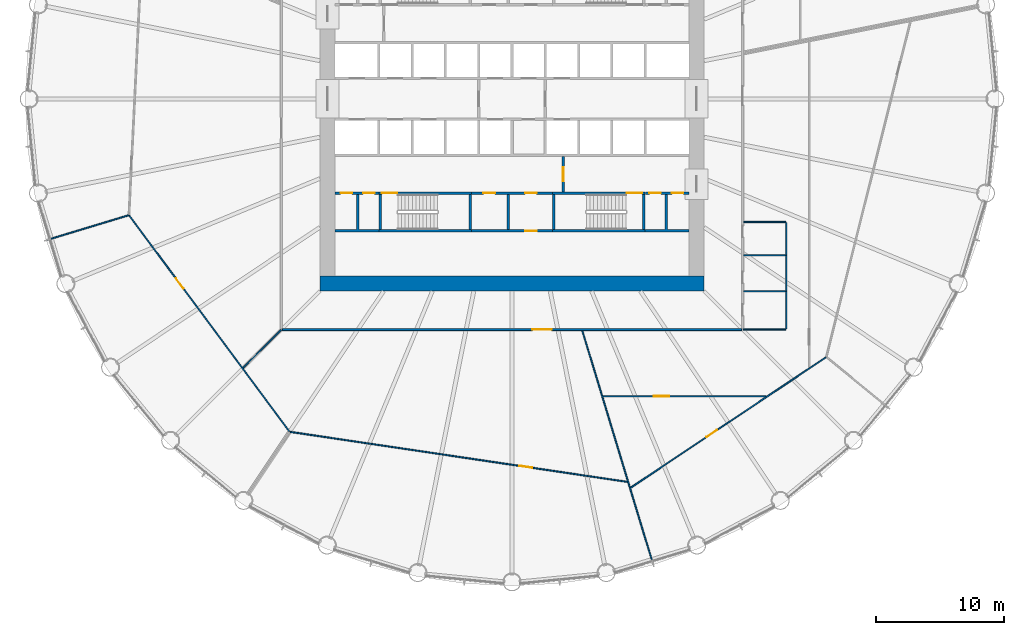
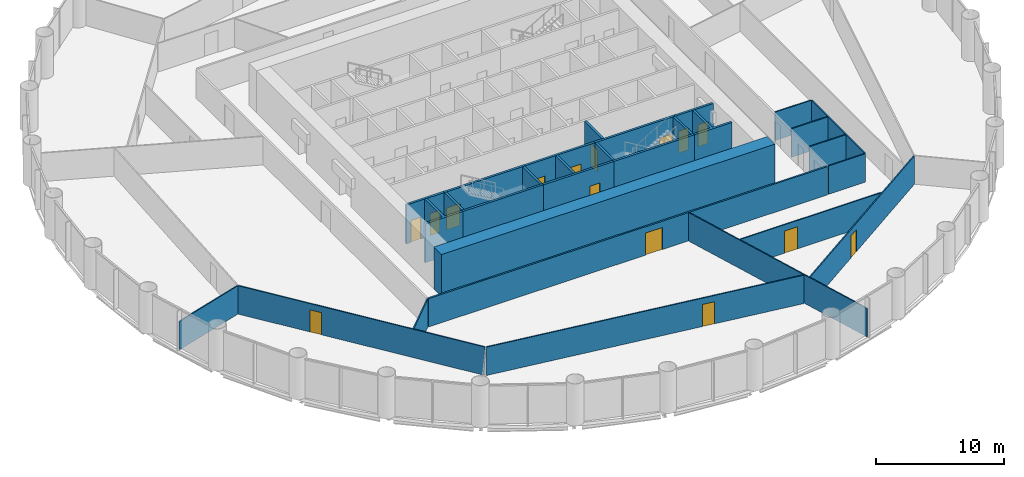
# One storey, part 10 of 15: 30 walls, 15 doors, 15 openings.
"""IFC4 building model written with IfcOpenShell, lengths in metres."""

from ifc_helpers import new_model, si_unit, direction, frame, frame_2d, origin, place, context, subcontext, project, spatial, polyline, rectangle, outline, extrude, material, layer, layer_set, type_object, element, fill, save


model = new_model("IFC4")

# Units and contexts
model_context = context("Model", 3, precision=1e-05, world=origin(), true_north=direction((0.0, 1.0)))
body_context = subcontext(model_context, "Body", "Model", "MODEL_VIEW")
ifc_project = project(units=[si_unit("LENGTHUNIT", "METRE"), si_unit("AREAUNIT", "SQUARE_METRE"), si_unit("VOLUMEUNIT", "CUBIC_METRE"), si_unit("PLANEANGLEUNIT", "RADIAN"), si_unit("MASSUNIT", "GRAM", prefix="KILO")], contexts=[model_context])

# Site, building, storey
site_placement = place(None, origin())
site = spatial("IfcSite", under=ifc_project, at=site_placement, CompositionType="ELEMENT")
building_placement = place(site_placement, origin())
building = spatial("IfcBuilding", under=site, at=building_placement, Name="Corvane Civic Tower", CompositionType="ELEMENT")
storey_placement = place(building_placement, frame((0.0, 0.0, 73.0)))
storey = spatial("IfcBuildingStorey", under=building, at=storey_placement, Name="L16", CompositionType="ELEMENT", Elevation=73.0)

# Wall
ifc_material_1 = material(Name="Concrete C80/95", Category="concrete")
ifc_layer_1 = layer(ifc_material_1, 1.199951171875)
ifc_layer_set_1 = layer_set([ifc_layer_1], Name="Concrete C80/95")
wall_type_1 = type_object("IfcWallType", Name="CORE WALL 1200 C80/95", PredefinedType="SHEAR", material=ifc_layer_set_1)
wall_1_placement = place(storey_placement, frame((-15.0, -14.39990234375, 0.0), z_axis=(0.0, 0.0, 1.0), x_axis=(1.0, 0.0, 0.0)))
element("IfcWall", 1, at=wall_1_placement, inside=storey, type_object=wall_type_1, Name="W-L16-core-S", PredefinedType="SHEAR", context=body_context, shape_type="SweptSolid", body=[
    extrude(rectangle(XDim=30.0, YDim=1.199951171875, at=frame_2d((15.0, 0.0))), origin(), (0.0, 0.0, 1.0), 4.0),
])

# Wall, opening, door
ifc_material_2 = material(Name="Concrete C30/37", Category="concrete")
ifc_layer_2 = layer(ifc_material_2, 0.199951171875)
ifc_layer_set_2 = layer_set([ifc_layer_2], Name="Concrete C30/37")
wall_type_2 = type_object("IfcWallType", Name="CR-WALL-200", PredefinedType="PARTITIONING", material=ifc_layer_set_2)
wall_2_placement = place(storey_placement, frame((-3.14990234375, -10.300048828125, 0.0), z_axis=(0.0, 0.0, 1.0), x_axis=(1.0, 0.0, 0.0)))
wall_2 = element("IfcWall", 2, at=wall_2_placement, inside=storey, type_object=wall_type_2, Name="L16 partition wall", PredefinedType="PARTITIONING", context=body_context, shape_type="SweptSolid", body=[
    extrude(rectangle(XDim=6.2998046875, YDim=0.199951171875, at=frame_2d((3.14990234375, 0.0))), origin(), (0.0, 0.0, 1.0), 3.699951171875),
])
opening_1_placement = place(wall_2_placement, frame((4.175048828125, 0.0, 0.0)))
opening_1 = element("IfcOpeningElement", 3, at=opening_1_placement, cuts=wall_2, Name="Opening L16.C07", PredefinedType="OPENING", context=body_context, shape_type="SweptSolid", body=[
    extrude(rectangle(XDim=0.89990234375, YDim=2.10009765625, at=frame_2d((0.449951171875, 1.050048828125))), frame((0.0, 0.10986328125, 0.0), z_axis=(0.0, -1.0, 0.0), x_axis=(1.0, 0.0, 0.0)), (0.0, 0.0, 1.0), 0.219970703125),
])
ifc_material_3 = material(Name="Steel fire door leaf", Category="steel")
door_type_1 = type_object("IfcDoorType", Name="CR-DOOR-900", OperationType="SINGLE_SWING_LEFT", PredefinedType="DOOR", material=ifc_material_3)
door_1_placement = place(opening_1_placement, origin())
door_1 = element("IfcDoor", 4, at=door_1_placement, inside=storey, type_object=door_type_1, Name="L16 door", OperationType="SINGLE_SWING_LEFT", OverallHeight=2.10009765625, OverallWidth=0.89990234375, PredefinedType="DOOR", context=body_context, shape_type="SweptSolid", body=[
    extrude(rectangle(XDim=0.89990234375, YDim=2.10009765625, at=frame_2d((0.449951171875, 1.050048828125))), frame((0.0, 0.02490234375, 0.0), z_axis=(0.0, -1.0, 0.0), x_axis=(1.0, 0.0, 0.0)), (0.0, 0.0, 1.0), 0.050048828125),
])
fill(opening_1, door_1)

# Wall, openings, doors
wall_3_placement = place(storey_placement, frame((-13.800048828125, -7.35009765625, 0.0), z_axis=(0.0, 0.0, 1.0), x_axis=(1.0, 0.0, 0.0)))
wall_3 = element("IfcWall", 5, at=wall_3_placement, inside=storey, type_object=wall_type_2, Name="L16 core partition wall", PredefinedType="PARTITIONING", context=body_context, shape_type="SweptSolid", body=[
    extrude(rectangle(XDim=3.400146484375, YDim=0.199951171875, at=frame_2d((1.7001953125, 0.0))), origin(), (0.0, 0.0, 1.0), 3.699951171875),
])
opening_2_placement = place(wall_3_placement, frame((0.425048828125, 0.0, 0.0)))
opening_2 = element("IfcOpeningElement", 6, at=opening_2_placement, cuts=wall_3, Name="Opening L16.C10", PredefinedType="OPENING", context=body_context, shape_type="SweptSolid", body=[
    extrude(rectangle(XDim=0.89990234375, YDim=2.10009765625, at=frame_2d((0.449951171875, 1.050048828125))), frame((0.0, 0.10986328125, 0.0), z_axis=(0.0, -1.0, 0.0), x_axis=(1.0, 0.0, 0.0)), (0.0, 0.0, 1.0), 0.219970703125),
])
opening_3_placement = place(wall_3_placement, frame((2.175048828125, 0.0, 0.0)))
opening_3 = element("IfcOpeningElement", 7, at=opening_3_placement, cuts=wall_3, Name="Opening L16.C11", PredefinedType="OPENING", context=body_context, shape_type="SweptSolid", body=[
    extrude(rectangle(XDim=0.89990234375, YDim=2.10009765625, at=frame_2d((0.449951171875, 1.050048828125))), frame((0.0, 0.10986328125, 0.0), z_axis=(0.0, -1.0, 0.0), x_axis=(1.0, 0.0, 0.0)), (0.0, 0.0, 1.0), 0.219970703125),
])
door_2_placement = place(opening_2_placement, origin())
door_2 = element("IfcDoor", 8, at=door_2_placement, inside=storey, type_object=door_type_1, Name="L16 door", OperationType="SINGLE_SWING_LEFT", OverallHeight=2.10009765625, OverallWidth=0.89990234375, PredefinedType="DOOR", context=body_context, shape_type="SweptSolid", body=[
    extrude(rectangle(XDim=0.89990234375, YDim=2.10009765625, at=frame_2d((0.449951171875, 1.050048828125))), frame((0.0, 0.02490234375, 0.0), z_axis=(0.0, -1.0, 0.0), x_axis=(1.0, 0.0, 0.0)), (0.0, 0.0, 1.0), 0.050048828125),
])
fill(opening_2, door_2)
door_3_placement = place(opening_3_placement, origin())
door_3 = element("IfcDoor", 9, at=door_3_placement, inside=storey, type_object=door_type_1, Name="L16 door", OperationType="SINGLE_SWING_LEFT", OverallHeight=2.10009765625, OverallWidth=0.89990234375, PredefinedType="DOOR", context=body_context, shape_type="SweptSolid", body=[
    extrude(rectangle(XDim=0.89990234375, YDim=2.10009765625, at=frame_2d((0.449951171875, 1.050048828125))), frame((0.0, 0.02490234375, 0.0), z_axis=(0.0, -1.0, 0.0), x_axis=(1.0, 0.0, 0.0)), (0.0, 0.0, 1.0), 0.050048828125),
])
fill(opening_3, door_3)

wall_4_placement = place(storey_placement, frame((-3.14990234375, -7.35009765625, 0.0), z_axis=(0.0, 0.0, 1.0), x_axis=(1.0, 0.0, 0.0)))
wall_4 = element("IfcWall", 10, at=wall_4_placement, inside=storey, type_object=wall_type_2, Name="L16 core partition wall", PredefinedType="PARTITIONING", context=body_context, shape_type="SweptSolid", body=[
    extrude(rectangle(XDim=6.2998046875, YDim=0.199951171875, at=frame_2d((3.14990234375, 0.0))), origin(), (0.0, 0.0, 1.0), 3.699951171875),
])
opening_4_placement = place(wall_4_placement, frame((0.925048828125, 0.0, 0.0)))
opening_4 = element("IfcOpeningElement", 11, at=opening_4_placement, cuts=wall_4, Name="Opening L16.C04", PredefinedType="OPENING", context=body_context, shape_type="SweptSolid", body=[
    extrude(rectangle(XDim=0.89990234375, YDim=2.10009765625, at=frame_2d((0.449951171875, 1.050048828125))), frame((0.0, 0.10986328125, 0.0), z_axis=(0.0, -1.0, 0.0), x_axis=(1.0, 0.0, 0.0)), (0.0, 0.0, 1.0), 0.219970703125),
])
opening_5_placement = place(wall_4_placement, frame((4.175048828125, 0.0, 0.0)))
opening_5 = element("IfcOpeningElement", 12, at=opening_5_placement, cuts=wall_4, Name="Opening L16.C05", PredefinedType="OPENING", context=body_context, shape_type="SweptSolid", body=[
    extrude(rectangle(XDim=0.89990234375, YDim=2.10009765625, at=frame_2d((0.449951171875, 1.050048828125))), frame((0.0, 0.10986328125, 0.0), z_axis=(0.0, -1.0, 0.0), x_axis=(1.0, 0.0, 0.0)), (0.0, 0.0, 1.0), 0.219970703125),
])
door_4_placement = place(opening_4_placement, origin())
door_4 = element("IfcDoor", 13, at=door_4_placement, inside=storey, type_object=door_type_1, Name="L16 door", OperationType="SINGLE_SWING_LEFT", OverallHeight=2.10009765625, OverallWidth=0.89990234375, PredefinedType="DOOR", context=body_context, shape_type="SweptSolid", body=[
    extrude(rectangle(XDim=0.89990234375, YDim=2.10009765625, at=frame_2d((0.449951171875, 1.050048828125))), frame((0.0, 0.02490234375, 0.0), z_axis=(0.0, -1.0, 0.0), x_axis=(1.0, 0.0, 0.0)), (0.0, 0.0, 1.0), 0.050048828125),
])
fill(opening_4, door_4)
door_5_placement = place(opening_5_placement, origin())
door_5 = element("IfcDoor", 14, at=door_5_placement, inside=storey, type_object=door_type_1, Name="L16 door", OperationType="SINGLE_SWING_LEFT", OverallHeight=2.10009765625, OverallWidth=0.89990234375, PredefinedType="DOOR", context=body_context, shape_type="SweptSolid", body=[
    extrude(rectangle(XDim=0.89990234375, YDim=2.10009765625, at=frame_2d((0.449951171875, 1.050048828125))), frame((0.0, 0.02490234375, 0.0), z_axis=(0.0, -1.0, 0.0), x_axis=(1.0, 0.0, 0.0)), (0.0, 0.0, 1.0), 0.050048828125),
])
fill(opening_5, door_5)

wall_5_placement = place(storey_placement, frame((10.39990234375, -7.35009765625, 0.0), z_axis=(0.0, 0.0, 1.0), x_axis=(1.0, 0.0, 0.0)))
wall_5 = element("IfcWall", 15, at=wall_5_placement, inside=storey, type_object=wall_type_2, Name="L16 core partition wall", PredefinedType="PARTITIONING", context=body_context, shape_type="SweptSolid", body=[
    extrude(rectangle(XDim=3.400146484375, YDim=0.199951171875, at=frame_2d((1.7001953125, 0.0))), origin(), (0.0, 0.0, 1.0), 3.699951171875),
])
opening_6_placement = place(wall_5_placement, frame((0.324951171875, 0.0, 0.0)))
opening_6 = element("IfcOpeningElement", 16, at=opening_6_placement, cuts=wall_5, Name="Opening L16.C14", PredefinedType="OPENING", context=body_context, shape_type="SweptSolid", body=[
    extrude(rectangle(XDim=0.89990234375, YDim=2.10009765625, at=frame_2d((0.449951171875, 1.050048828125))), frame((0.0, 0.10986328125, 0.0), z_axis=(0.0, -1.0, 0.0), x_axis=(1.0, 0.0, 0.0)), (0.0, 0.0, 1.0), 0.219970703125),
])
opening_7_placement = place(wall_5_placement, frame((2.074951171875, 0.0, 0.0)))
opening_7 = element("IfcOpeningElement", 17, at=opening_7_placement, cuts=wall_5, Name="Opening L16.C15", PredefinedType="OPENING", context=body_context, shape_type="SweptSolid", body=[
    extrude(rectangle(XDim=0.89990234375, YDim=2.10009765625, at=frame_2d((0.449951171875, 1.050048828125))), frame((0.0, 0.10986328125, 0.0), z_axis=(0.0, -1.0, 0.0), x_axis=(1.0, 0.0, 0.0)), (0.0, 0.0, 1.0), 0.219970703125),
])
door_6_placement = place(opening_6_placement, origin())
door_6 = element("IfcDoor", 18, at=door_6_placement, inside=storey, type_object=door_type_1, Name="L16 door", OperationType="SINGLE_SWING_LEFT", OverallHeight=2.10009765625, OverallWidth=0.89990234375, PredefinedType="DOOR", context=body_context, shape_type="SweptSolid", body=[
    extrude(rectangle(XDim=0.89990234375, YDim=2.10009765625, at=frame_2d((0.449951171875, 1.050048828125))), frame((0.0, 0.02490234375, 0.0), z_axis=(0.0, -1.0, 0.0), x_axis=(1.0, 0.0, 0.0)), (0.0, 0.0, 1.0), 0.050048828125),
])
fill(opening_6, door_6)
door_7_placement = place(opening_7_placement, origin())
door_7 = element("IfcDoor", 19, at=door_7_placement, inside=storey, type_object=door_type_1, Name="L16 door", OperationType="SINGLE_SWING_LEFT", OverallHeight=2.10009765625, OverallWidth=0.89990234375, PredefinedType="DOOR", context=body_context, shape_type="SweptSolid", body=[
    extrude(rectangle(XDim=0.89990234375, YDim=2.10009765625, at=frame_2d((0.449951171875, 1.050048828125))), frame((0.0, 0.02490234375, 0.0), z_axis=(0.0, -1.0, 0.0), x_axis=(1.0, 0.0, 0.0)), (0.0, 0.0, 1.0), 0.050048828125),
])
fill(opening_7, door_7)

# Wall, opening, door
wall_6_placement = place(storey_placement, frame((4.0, -7.25, 0.0), z_axis=(0.0, 0.0, 1.0), x_axis=(0.0, 1.0, 0.0)))
wall_6 = element("IfcWall", 20, at=wall_6_placement, inside=storey, type_object=wall_type_2, Name="L16 core partition wall", PredefinedType="PARTITIONING", context=body_context, shape_type="SweptSolid", body=[
    extrude(rectangle(XDim=2.75, YDim=0.199951171875, at=frame_2d((1.375, 0.0))), origin(), (0.0, 0.0, 1.0), 3.699951171875),
])
opening_8_placement = place(wall_6_placement, frame((0.824951171875, 0.0, 0.0)))
opening_8 = element("IfcOpeningElement", 21, at=opening_8_placement, cuts=wall_6, Name="Opening L16.C23", PredefinedType="OPENING", context=body_context, shape_type="SweptSolid", body=[
    extrude(rectangle(XDim=1.10009765625, YDim=2.10009765625, at=frame_2d((0.550048828125, 1.050048828125))), frame((0.0, 0.10986328125, 0.0), z_axis=(0.0, -1.0, 0.0), x_axis=(1.0, 0.0, 0.0)), (0.0, 0.0, 1.0), 0.219970703125),
])
ifc_material_4 = material(Name="Steel fire door leaf", Category="steel")
door_type_2 = type_object("IfcDoorType", Name="CR-DOOR-FFL-1100", OperationType="SINGLE_SWING_LEFT", PredefinedType="DOOR", material=ifc_material_4)
door_8_placement = place(opening_8_placement, origin())
door_8 = element("IfcDoor", 22, at=door_8_placement, inside=storey, type_object=door_type_2, Name="L16 lobby door", OperationType="SINGLE_SWING_LEFT", OverallHeight=2.10009765625, OverallWidth=1.10009765625, PredefinedType="DOOR", context=body_context, shape_type="SweptSolid", body=[
    extrude(rectangle(XDim=1.10009765625, YDim=2.10009765625, at=frame_2d((0.550048828125, 1.050048828125))), frame((0.0, 0.02490234375, 0.0), z_axis=(0.0, -1.0, 0.0), x_axis=(1.0, 0.0, 0.0)), (0.0, 0.0, 1.0), 0.050048828125),
])
fill(opening_8, door_8)

# Walls
wall_7_placement = place(storey_placement, origin())
element("IfcWall", 23, at=wall_7_placement, inside=storey, type_object=wall_type_2, Name="L16 core partition wall", PredefinedType="PARTITIONING", context=body_context, shape_type="SweptSolid", body=[
    extrude(outline(polyline([(-12.14990234375, -7.449951171875), (-11.949951171875, -7.449951171875), (-11.949951171875, -10.199951171875), (-10.39990234375, -10.199951171875), (-10.39990234375, -10.39990234375), (-13.800048828125, -10.39990234375), (-13.800048828125, -10.199951171875), (-12.14990234375, -10.199951171875), (-12.14990234375, -7.449951171875)])), origin(), (0.0, 0.0, 1.0), 3.699951171875),
])
wall_8_placement = place(storey_placement, origin())
element("IfcWall", 24, at=wall_8_placement, inside=storey, type_object=wall_type_2, Name="L16 core partition wall", PredefinedType="PARTITIONING", context=body_context, shape_type="SweptSolid", body=[
    extrude(outline(polyline([(-0.199951171875, -10.199951171875), (-0.39990234375, -10.199951171875), (-0.39990234375, -7.449951171875), (-0.199951171875, -7.449951171875), (-0.199951171875, -10.199951171875)])), origin(), (0.0, 0.0, 1.0), 3.699951171875),
])
wall_9_placement = place(storey_placement, origin())
element("IfcWall", 25, at=wall_9_placement, inside=storey, type_object=wall_type_2, Name="L16 core partition wall", PredefinedType="PARTITIONING", context=body_context, shape_type="SweptSolid", body=[
    extrude(outline(polyline([(11.949951171875, -7.449951171875), (12.14990234375, -7.449951171875), (12.14990234375, -10.199951171875), (13.800048828125, -10.199951171875), (13.800048828125, -10.39990234375), (10.39990234375, -10.39990234375), (10.39990234375, -10.199951171875), (11.949951171875, -10.199951171875), (11.949951171875, -7.449951171875)])), origin(), (0.0, 0.0, 1.0), 3.699951171875),
])
ifc_material_5 = material(Name="Plasterboard")
ifc_layer_3 = layer(ifc_material_5, 0.10009765625)
ifc_layer_set_3 = layer_set([ifc_layer_3], Name="Plasterboard")
wall_type_3 = type_object("IfcWallType", Name="Partition 100 plasterboard on studs", PredefinedType="PARTITIONING", material=ifc_layer_set_3)
wall_10_placement = place(storey_placement, frame((5.4873046875, -18.089599609375, 0.0), z_axis=(0.0, 0.0, 1.0), x_axis=(0.290288785373, -0.956939089539, 0.0)))
element("IfcWall", 26, at=wall_10_placement, inside=storey, type_object=wall_type_3, Name="Partition L16.001", PredefinedType="PARTITIONING", context=body_context, shape_type="SweptSolid", body=[
    extrude(rectangle(XDim=19.046630859375, YDim=0.10009765625, at=frame_2d((9.5234375, 0.0))), origin(), (0.0, 0.0, 1.0), 2.699951171875),
])

# Wall, opening, door
wall_11_placement = place(storey_placement, frame((9.2705078125, -30.33837890625, 0.0), z_axis=(0.0, 0.0, 1.0), x_axis=(0.831469761592, 0.555570009592, 0.0)))
wall_11 = element("IfcWall", 27, at=wall_11_placement, inside=storey, type_object=wall_type_3, Name="Partition L16.003", PredefinedType="PARTITIONING", context=body_context, shape_type="SweptSolid", body=[
    extrude(rectangle(XDim=18.32421875, YDim=0.10009765625, at=frame_2d((9.162109375, 0.0))), origin(), (0.0, 0.0, 1.0), 2.699951171875),
])
opening_9_placement = place(wall_11_placement, frame((7.1015625, 0.0, 0.0)))
opening_9 = element("IfcOpeningElement", 28, at=opening_9_placement, cuts=wall_11, Name="Opening L16.012", PredefinedType="OPENING", context=body_context, shape_type="SweptSolid", body=[
    extrude(rectangle(XDim=1.0, YDim=2.10009765625, at=frame_2d((0.5, 1.050048828125))), frame((0.0, 0.06005859375, 0.0), z_axis=(0.0, -1.0, 0.0), x_axis=(1.0, 0.0, 0.0)), (0.0, 0.0, 1.0), 0.1201171875),
])
ifc_material_6 = material(Name="Timber", Category="wood")
door_type_3 = type_object("IfcDoorType", Name="Single door 1000", OperationType="NOTDEFINED", PredefinedType="DOOR", material=ifc_material_6)
door_9_placement = place(opening_9_placement, frame((1.0, 0.0, 0.0), z_axis=(0.0, 0.0, 1.0), x_axis=(-1.0, 0.0, 0.0)))
door_9 = element("IfcDoor", 29, at=door_9_placement, inside=storey, type_object=door_type_3, Name="Door L16.012", OperationType="SINGLE_SWING_LEFT", OverallHeight=2.10009765625, OverallWidth=1.0, PredefinedType="DOOR", context=body_context, shape_type="SweptSolid", body=[
    extrude(rectangle(XDim=1.0, YDim=2.10009765625, at=frame_2d((0.5, 1.050048828125))), frame((0.0, 0.02490234375, 0.0), z_axis=(0.0, -1.0, 0.0), x_axis=(1.0, 0.0, 0.0)), (0.0, 0.0, 1.0), 0.050048828125),
])
fill(opening_9, door_9)

wall_12_placement = place(storey_placement, frame((-17.32568359375, -25.9814453125, 0.0), z_axis=(0.0, 0.0, 1.0), x_axis=(0.989175952024, -0.146734235738, 0.0)))
wall_12 = element("IfcWall", 30, at=wall_12_placement, inside=storey, type_object=wall_type_3, Name="Partition L16.004", PredefinedType="PARTITIONING", context=body_context, shape_type="SweptSolid", body=[
    extrude(rectangle(XDim=26.604736328125, YDim=0.10009765625, at=frame_2d((13.30224609375, 0.0))), origin(), (0.0, 0.0, 1.0), 2.699951171875),
])
opening_10_placement = place(wall_12_placement, frame((18.100341796875, 0.0, 0.0)))
opening_10 = element("IfcOpeningElement", 31, at=opening_10_placement, cuts=wall_12, Name="Opening L16.019", PredefinedType="OPENING", context=body_context, shape_type="SweptSolid", body=[
    extrude(rectangle(XDim=1.0, YDim=2.10009765625, at=frame_2d((0.5, 1.050048828125))), frame((0.0, 0.06005859375, 0.0), z_axis=(0.0, -1.0, 0.0), x_axis=(1.0, 0.0, 0.0)), (0.0, 0.0, 1.0), 0.1201171875),
])
door_10_placement = place(opening_10_placement, frame((1.0, 0.0, 0.0), z_axis=(0.0, 0.0, 1.0), x_axis=(-1.0, 0.0, 0.0)))
door_10 = element("IfcDoor", 32, at=door_10_placement, inside=storey, type_object=door_type_3, Name="Door L16.019", OperationType="SINGLE_SWING_RIGHT", OverallHeight=2.10009765625, OverallWidth=1.0, PredefinedType="DOOR", context=body_context, shape_type="SweptSolid", body=[
    extrude(rectangle(XDim=1.0, YDim=2.10009765625, at=frame_2d((0.5, 1.050048828125))), frame((0.0, 0.02490234375, 0.0), z_axis=(0.0, -1.0, 0.0), x_axis=(1.0, 0.0, 0.0)), (0.0, 0.0, 1.0), 0.050048828125),
])
fill(opening_10, door_10)

wall_13_placement = place(storey_placement, frame((-29.8759765625, -9.097412109375, 0.0), z_axis=(0.0, 0.0, 1.0), x_axis=(0.595705280383, -0.803203099424, 0.0)))
wall_13 = element("IfcWall", 33, at=wall_13_placement, inside=storey, type_object=wall_type_3, Name="Partition L16.005", PredefinedType="PARTITIONING", context=body_context, shape_type="SweptSolid", body=[
    extrude(rectangle(XDim=20.979736328125, YDim=0.10009765625, at=frame_2d((10.48974609375, 0.0))), origin(), (0.0, 0.0, 1.0), 2.699951171875),
])
opening_11_placement = place(wall_13_placement, frame((6.098388671875, 0.0, 0.0)))
opening_11 = element("IfcOpeningElement", 34, at=opening_11_placement, cuts=wall_13, Name="Opening L16.020", PredefinedType="OPENING", context=body_context, shape_type="SweptSolid", body=[
    extrude(rectangle(XDim=1.0, YDim=2.10009765625, at=frame_2d((0.5, 1.050048828125))), frame((0.0, 0.06005859375, 0.0), z_axis=(0.0, -1.0, 0.0), x_axis=(1.0, 0.0, 0.0)), (0.0, 0.0, 1.0), 0.1201171875),
])
door_11_placement = place(opening_11_placement, frame((1.0, 0.0, 0.0), z_axis=(0.0, 0.0, 1.0), x_axis=(-1.0, 0.0, 0.0)))
door_11 = element("IfcDoor", 35, at=door_11_placement, inside=storey, type_object=door_type_3, Name="Door L16.020", OperationType="SINGLE_SWING_LEFT", OverallHeight=2.10009765625, OverallWidth=1.0, PredefinedType="DOOR", context=body_context, shape_type="SweptSolid", body=[
    extrude(rectangle(XDim=1.0, YDim=2.10009765625, at=frame_2d((0.5, 1.050048828125))), frame((0.0, 0.02490234375, 0.0), z_axis=(0.0, -1.0, 0.0), x_axis=(1.0, 0.0, 0.0)), (0.0, 0.0, 1.0), 0.050048828125),
])
fill(opening_11, door_11)

wall_14_placement = place(storey_placement, frame((7.10498046875, -23.199951171875, 0.0), z_axis=(0.0, 0.0, 1.0), x_axis=(1.0, 0.0, 0.0)))
wall_14 = element("IfcWall", 36, at=wall_14_placement, inside=storey, type_object=wall_type_3, Name="Partition L16.007", PredefinedType="PARTITIONING", context=body_context, shape_type="SweptSolid", body=[
    extrude(rectangle(XDim=12.68408203125, YDim=0.10009765625, at=frame_2d((6.342041015625, 0.0))), origin(), (0.0, 0.0, 1.0), 2.699951171875),
])
opening_12_placement = place(wall_14_placement, frame((3.967529296875, 0.0, 0.0)))
opening_12 = element("IfcOpeningElement", 37, at=opening_12_placement, cuts=wall_14, Name="Opening L16.013", PredefinedType="OPENING", context=body_context, shape_type="SweptSolid", body=[
    extrude(rectangle(XDim=1.199951171875, YDim=2.10009765625, at=frame_2d((0.60009765625, 1.050048828125))), frame((0.0, 0.06005859375, 0.0), z_axis=(0.0, -1.0, 0.0), x_axis=(1.0, 0.0, 0.0)), (0.0, 0.0, 1.0), 0.1201171875),
])
ifc_material_7 = material(Name="Timber", Category="wood")
door_type_4 = type_object("IfcDoorType", Name="Double door 1200", OperationType="NOTDEFINED", PredefinedType="DOOR", material=ifc_material_7)
door_12_placement = place(opening_12_placement, frame((1.199951171875, 0.0, 0.0), z_axis=(0.0, 0.0, 1.0), x_axis=(-1.0, 0.0, 0.0)))
door_12 = element("IfcDoor", 38, at=door_12_placement, inside=storey, type_object=door_type_4, Name="Door L16.013", OperationType="DOUBLE_DOOR_SINGLE_SWING", OverallHeight=2.10009765625, OverallWidth=1.199951171875, PredefinedType="DOOR", context=body_context, shape_type="SweptSolid", body=[
    extrude(rectangle(XDim=1.199951171875, YDim=2.10009765625, at=frame_2d((0.60009765625, 1.050048828125))), frame((0.0, 0.02490234375, 0.0), z_axis=(0.0, -1.0, 0.0), x_axis=(1.0, 0.0, 0.0)), (0.0, 0.0, 1.0), 0.050048828125),
])
fill(opening_12, door_12)

# Walls
wall_15_placement = place(storey_placement, frame((-20.98681640625, -20.98681640625, 0.0), z_axis=(0.0, 0.0, 1.0), x_axis=(0.707106781187, 0.707106781187, 0.0)))
element("IfcWall", 39, at=wall_15_placement, inside=storey, type_object=wall_type_3, Name="Partition L16.008", PredefinedType="PARTITIONING", context=body_context, shape_type="SweptSolid", body=[
    extrude(rectangle(XDim=4.203369140625, YDim=0.10009765625, at=frame_2d((2.1015625, 0.0))), origin(), (0.0, 0.0, 1.0), 2.699951171875),
])
wall_16_placement = place(storey_placement, frame((18.050048828125, -18.0, 0.0), z_axis=(0.0, 0.0, 1.0), x_axis=(1.0, 0.0, 0.0)))
element("IfcWall", 40, at=wall_16_placement, inside=storey, type_object=wall_type_3, Name="Partition L16.012", PredefinedType="PARTITIONING", context=body_context, shape_type="SweptSolid", body=[
    extrude(rectangle(XDim=3.300048828125, YDim=0.10009765625, at=frame_2d((1.64990234375, 0.0))), origin(), (0.0, 0.0, 1.0), 2.699951171875),
])
wall_17_placement = place(storey_placement, frame((21.39990234375, -17.949951171875, 0.0), z_axis=(0.0, 0.0, 1.0), x_axis=(0.0, 1.0, 0.0)))
element("IfcWall", 41, at=wall_17_placement, inside=storey, type_object=wall_type_3, Name="Partition L16.013", PredefinedType="PARTITIONING", context=body_context, shape_type="SweptSolid", body=[
    extrude(rectangle(XDim=8.300048828125, YDim=0.10009765625, at=frame_2d((4.14990234375, 0.0))), origin(), (0.0, 0.0, 1.0), 2.699951171875),
])
for number, where, z_axis, x_axis, name in (
    (42, (18.074951171875, -15.0, 0.0), (0.0, 0.0, 1.0), (1.0, 0.0, 0.0), "Partition L16.016"),
    (43, (18.074951171875, -12.199951171875, 0.0), (0.0, 0.0, 1.0), (1.0, 0.0, 0.0), "Partition L16.017"),
):
    element("IfcWall", number, at=place(storey_placement, frame(where, z_axis=z_axis, x_axis=x_axis)), inside=storey, type_object=wall_type_3, Name=name, PredefinedType="PARTITIONING", context=body_context, shape_type="SweptSolid", body=[
        extrude(rectangle(XDim=3.275146484375, YDim=0.10009765625, at=frame_2d((1.6376953125, 0.0))), origin(), (0.0, 0.0, 1.0), 2.699951171875),
    ])
wall_18_placement = place(storey_placement, frame((-36.316162109375, -11.016357421875, 0.0), z_axis=(0.0, 0.0, 1.0), x_axis=(0.956940666141, 0.290283588039, 0.0)))
element("IfcWall", 44, at=wall_18_placement, inside=storey, type_object=wall_type_3, Name="Partition L16.018", PredefinedType="PARTITIONING", context=body_context, shape_type="SweptSolid", body=[
    extrude(rectangle(XDim=6.6728515625, YDim=0.10009765625, at=frame_2d((3.33642578125, 0.0))), origin(), (0.0, 0.0, 1.0), 2.699951171875),
])
wall_19_placement = place(storey_placement, frame((18.074951171875, -9.60009765625, 0.0), z_axis=(0.0, 0.0, 1.0), x_axis=(1.0, 0.0, 0.0)))
element("IfcWall", 45, at=wall_19_placement, inside=storey, type_object=wall_type_3, Name="Partition L16.019", PredefinedType="PARTITIONING", context=body_context, shape_type="SweptSolid", body=[
    extrude(rectangle(XDim=3.275146484375, YDim=0.10009765625, at=frame_2d((1.6376953125, 0.0))), origin(), (0.0, 0.0, 1.0), 2.699951171875),
])

# Wall, opening, door
ifc_material_8 = material(Name="Concrete C50/60", Category="concrete")
ifc_layer_4 = layer(ifc_material_8, 0.199951171875)
ifc_layer_set_4 = layer_set([ifc_layer_4], Name="Concrete C50/60")
wall_type_4 = type_object("IfcWallType", Name="ST-WALL-200", PredefinedType="SHEAR", material=ifc_layer_set_4)
wall_20_placement = place(storey_placement, frame((-10.39990234375, -7.35009765625, 0.0), z_axis=(0.0, 0.0, 1.0), x_axis=(1.0, 0.0, 0.0)))
wall_20 = element("IfcWall", 46, at=wall_20_placement, inside=storey, type_object=wall_type_4, Name="L16 stair enclosure wall", PredefinedType="SHEAR", context=body_context, shape_type="SweptSolid", body=[
    extrude(rectangle(XDim=7.25, YDim=0.199951171875, at=frame_2d((3.625, 0.0))), origin(), (0.0, 0.0, 1.0), 3.699951171875),
])
opening_13_placement = place(wall_20_placement, frame((0.25, 0.0, 0.0)))
opening_13 = element("IfcOpeningElement", 47, at=opening_13_placement, cuts=wall_20, Name="Opening L16.C19", PredefinedType="OPENING", context=body_context, shape_type="SweptSolid", body=[
    extrude(rectangle(XDim=1.199951171875, YDim=2.10009765625, at=frame_2d((0.60009765625, 1.050048828125))), frame((0.0, 0.10986328125, 0.0), z_axis=(0.0, -1.0, 0.0), x_axis=(1.0, 0.0, 0.0)), (0.0, 0.0, 1.0), 0.219970703125),
])
ifc_material_9 = material(Name="Steel fire door leaf", Category="steel")
door_type_5 = type_object("IfcDoorType", Name="ST-DOOR-1200", OperationType="SINGLE_SWING_RIGHT", PredefinedType="DOOR", material=ifc_material_9)
door_13_placement = place(opening_13_placement, origin())
door_13 = element("IfcDoor", 48, at=door_13_placement, inside=storey, type_object=door_type_5, Name="L16 stair door", OperationType="SINGLE_SWING_RIGHT", OverallHeight=2.10009765625, OverallWidth=1.199951171875, PredefinedType="DOOR", context=body_context, shape_type="SweptSolid", body=[
    extrude(rectangle(XDim=1.199951171875, YDim=2.10009765625, at=frame_2d((0.60009765625, 1.050048828125))), frame((0.0, 0.02490234375, 0.0), z_axis=(0.0, -1.0, 0.0), x_axis=(1.0, 0.0, 0.0)), (0.0, 0.0, 1.0), 0.050048828125),
])
fill(opening_13, door_13)

wall_21_placement = place(storey_placement, frame((3.14990234375, -7.35009765625, 0.0), z_axis=(0.0, 0.0, 1.0), x_axis=(1.0, 0.0, 0.0)))
wall_21 = element("IfcWall", 49, at=wall_21_placement, inside=storey, type_object=wall_type_4, Name="L16 stair enclosure wall", PredefinedType="SHEAR", context=body_context, shape_type="SweptSolid", body=[
    extrude(rectangle(XDim=7.25, YDim=0.199951171875, at=frame_2d((3.625, 0.0))), origin(), (0.0, 0.0, 1.0), 3.699951171875),
])
opening_14_placement = place(wall_21_placement, frame((5.800048828125, 0.0, 0.0)))
opening_14 = element("IfcOpeningElement", 50, at=opening_14_placement, cuts=wall_21, Name="Opening L16.C18", PredefinedType="OPENING", context=body_context, shape_type="SweptSolid", body=[
    extrude(rectangle(XDim=1.199951171875, YDim=2.10009765625, at=frame_2d((0.60009765625, 1.050048828125))), frame((0.0, 0.10986328125, 0.0), z_axis=(0.0, -1.0, 0.0), x_axis=(1.0, 0.0, 0.0)), (0.0, 0.0, 1.0), 0.219970703125),
])
door_14_placement = place(opening_14_placement, origin())
door_14 = element("IfcDoor", 51, at=door_14_placement, inside=storey, type_object=door_type_5, Name="L16 stair door", OperationType="SINGLE_SWING_RIGHT", OverallHeight=2.10009765625, OverallWidth=1.199951171875, PredefinedType="DOOR", context=body_context, shape_type="SweptSolid", body=[
    extrude(rectangle(XDim=1.199951171875, YDim=2.10009765625, at=frame_2d((0.60009765625, 1.050048828125))), frame((0.0, 0.02490234375, 0.0), z_axis=(0.0, -1.0, 0.0), x_axis=(1.0, 0.0, 0.0)), (0.0, 0.0, 1.0), 0.050048828125),
])
fill(opening_14, door_14)

# Walls
wall_22_placement = place(storey_placement, origin())
element("IfcWall", 52, at=wall_22_placement, inside=storey, type_object=wall_type_4, Name="L16 stair enclosure wall", PredefinedType="SHEAR", context=body_context, shape_type="SweptSolid", body=[
    extrude(outline(polyline([(-3.14990234375, -10.199951171875), (-3.14990234375, -10.39990234375), (-10.39990234375, -10.39990234375), (-10.39990234375, -10.199951171875), (-3.14990234375, -10.199951171875)])), origin(), (0.0, 0.0, 1.0), 3.699951171875),
])
wall_23_placement = place(storey_placement, origin())
element("IfcWall", 53, at=wall_23_placement, inside=storey, type_object=wall_type_4, Name="L16 stair enclosure wall", PredefinedType="SHEAR", context=body_context, shape_type="SweptSolid", body=[
    extrude(outline(polyline([(10.39990234375, -10.39990234375), (3.14990234375, -10.39990234375), (3.14990234375, -10.199951171875), (10.39990234375, -10.199951171875), (10.39990234375, -10.39990234375)])), origin(), (0.0, 0.0, 1.0), 3.699951171875),
])
wall_24_placement = place(storey_placement, origin())
element("IfcWall", 54, at=wall_24_placement, inside=storey, type_object=wall_type_4, Name="L16 stair enclosure wall", PredefinedType="SHEAR", context=body_context, shape_type="SweptSolid", body=[
    extrude(outline(polyline([(-3.14990234375, -7.449951171875), (-3.14990234375, -10.199951171875), (-3.35009765625, -10.199951171875), (-3.35009765625, -7.449951171875), (-3.14990234375, -7.449951171875)])), origin(), (0.0, 0.0, 1.0), 3.699951171875),
])
wall_25_placement = place(storey_placement, origin())
element("IfcWall", 55, at=wall_25_placement, inside=storey, type_object=wall_type_4, Name="L16 stair enclosure wall", PredefinedType="SHEAR", context=body_context, shape_type="SweptSolid", body=[
    extrude(outline(polyline([(3.35009765625, -7.449951171875), (3.35009765625, -10.199951171875), (3.14990234375, -10.199951171875), (3.14990234375, -7.449951171875), (3.35009765625, -7.449951171875)])), origin(), (0.0, 0.0, 1.0), 3.699951171875),
])
wall_26_placement = place(storey_placement, origin())
element("IfcWall", 56, at=wall_26_placement, inside=storey, type_object=wall_type_4, Name="L16 stair enclosure wall", PredefinedType="SHEAR", context=body_context, shape_type="SweptSolid", body=[
    extrude(outline(polyline([(-10.199951171875, -7.449951171875), (-10.199951171875, -10.199951171875), (-10.39990234375, -10.199951171875), (-10.39990234375, -7.449951171875), (-10.199951171875, -7.449951171875)])), origin(), (0.0, 0.0, 1.0), 3.699951171875),
])
wall_27_placement = place(storey_placement, origin())
element("IfcWall", 57, at=wall_27_placement, inside=storey, type_object=wall_type_4, Name="L16 stair enclosure wall", PredefinedType="SHEAR", context=body_context, shape_type="SweptSolid", body=[
    extrude(outline(polyline([(10.39990234375, -7.449951171875), (10.39990234375, -10.199951171875), (10.199951171875, -10.199951171875), (10.199951171875, -7.449951171875), (10.39990234375, -7.449951171875)])), origin(), (0.0, 0.0, 1.0), 3.699951171875),
])

# Wall, opening, door
ifc_material_10 = material(Name="Plasterboard")
ifc_layer_5 = layer(ifc_material_10, 0.14990234375)
ifc_layer_set_5 = layer_set([ifc_layer_5], Name="Plasterboard")
wall_type_5 = type_object("IfcWallType", Name="Tenancy wall 150 EI 60", PredefinedType="PARTITIONING", material=ifc_layer_set_5)
wall_28_placement = place(storey_placement, frame((-17.925048828125, -18.0, 0.0), z_axis=(0.0, 0.0, 1.0), x_axis=(1.0, 0.0, 0.0)))
wall_28 = element("IfcWall", 58, at=wall_28_placement, inside=storey, type_object=wall_type_5, Name="Partition L16.011", PredefinedType="PARTITIONING", context=body_context, shape_type="SweptSolid", body=[
    extrude(rectangle(XDim=35.84912109375, YDim=0.14990234375, at=frame_2d((17.924560546875, 0.0))), origin(), (0.0, 0.0, 1.0), 2.699951171875),
])
opening_15_placement = place(wall_28_placement, frame((19.513671875, 0.0, 0.0)))
opening_15 = element("IfcOpeningElement", 59, at=opening_15_placement, cuts=wall_28, Name="Opening L16.022", PredefinedType="OPENING", context=body_context, shape_type="SweptSolid", body=[
    extrude(rectangle(XDim=1.5, YDim=2.10009765625, at=frame_2d((0.75, 1.050048828125))), frame((0.0, 0.0849609375, 0.0), z_axis=(0.0, -1.0, 0.0), x_axis=(1.0, 0.0, 0.0)), (0.0, 0.0, 1.0), 0.169921875),
])
ifc_material_11 = material(Name="Steel and timber", Category="steel")
door_type_6 = type_object("IfcDoorType", Name="Fire door FD60 double 1500", OperationType="NOTDEFINED", PredefinedType="DOOR", material=ifc_material_11)
door_15_placement = place(opening_15_placement, frame((1.5, 0.0, 0.0), z_axis=(0.0, 0.0, 1.0), x_axis=(-1.0, 0.0, 0.0)))
door_15 = element("IfcDoor", 60, at=door_15_placement, inside=storey, type_object=door_type_6, Name="Door L16.022", OperationType="DOUBLE_DOOR_SINGLE_SWING", OverallHeight=2.10009765625, OverallWidth=1.5, PredefinedType="DOOR", context=body_context, shape_type="SweptSolid", body=[
    extrude(rectangle(XDim=1.5, YDim=2.10009765625, at=frame_2d((0.75, 1.050048828125))), frame((0.0, 0.02490234375, 0.0), z_axis=(0.0, -1.0, 0.0), x_axis=(1.0, 0.0, 0.0)), (0.0, 0.0, 1.0), 0.050048828125),
])
fill(opening_15, door_15)

save(model, "model.ifc")
